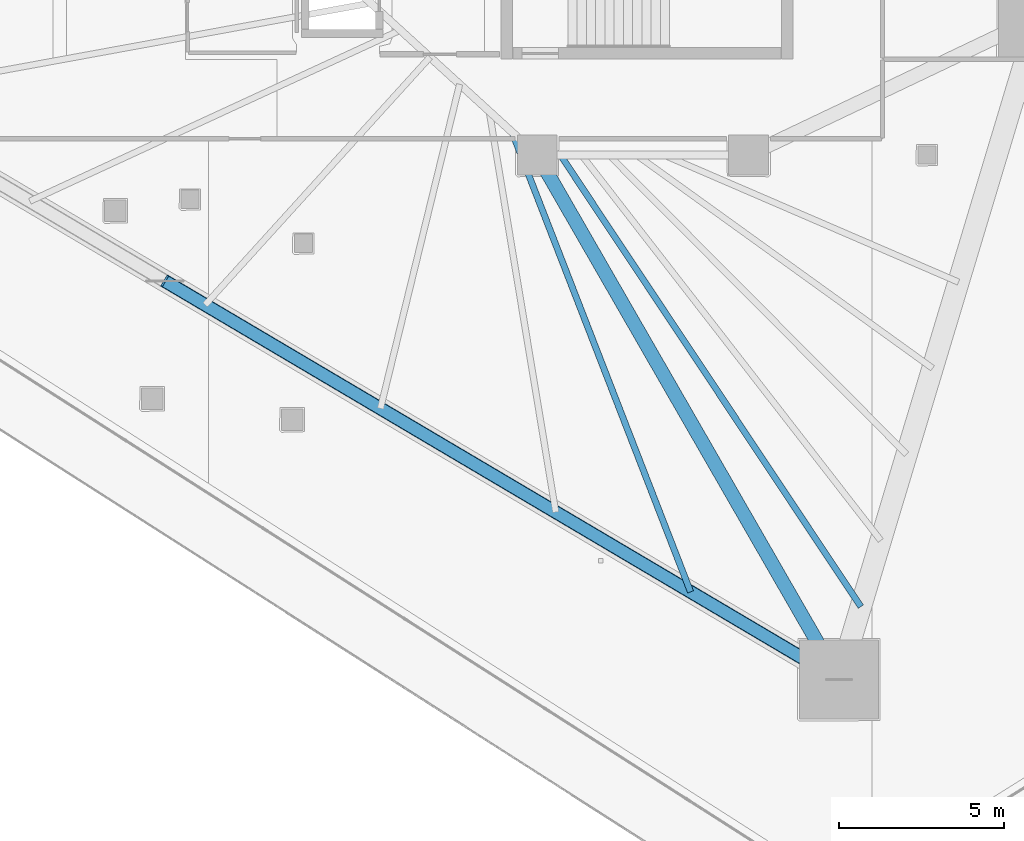
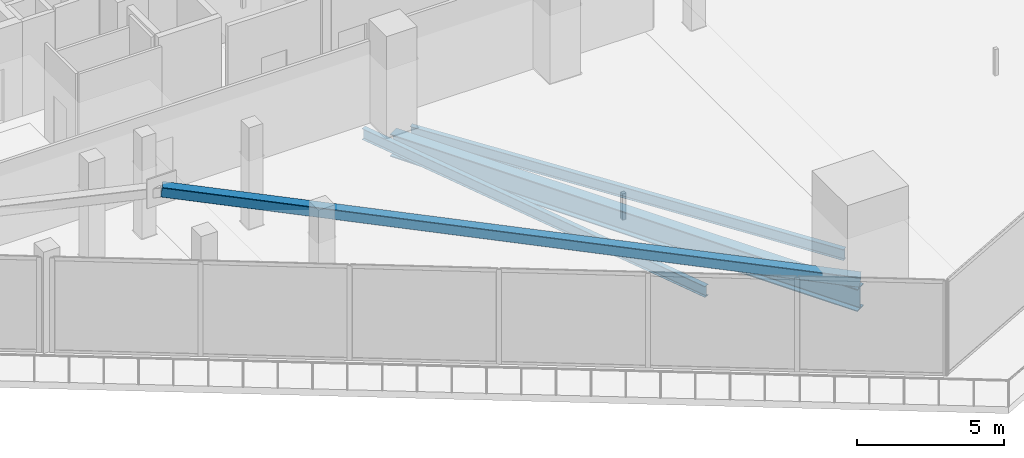
# One storey, part 9 of 43: 3 beams, 1 member.
"""IFC4 building model written with IfcOpenShell, lengths in metres."""

from ifc_helpers import new_model, si_unit, direction, frame, origin, origin_2d, place, context, subcontext, project, spatial, hollow_rectangle, i_section, extrude, material, material_profile, profile_set, type_object, element, save


model = new_model("IFC4")

# Units and contexts
model_context = context("Model", 3, precision=1e-05, world=origin(), true_north=direction((0.0, 1.0)))
body_context = subcontext(model_context, "Body", "Model", "MODEL_VIEW")
ifc_project = project(units=[si_unit("LENGTHUNIT", "METRE"), si_unit("AREAUNIT", "SQUARE_METRE"), si_unit("VOLUMEUNIT", "CUBIC_METRE"), si_unit("PLANEANGLEUNIT", "RADIAN"), si_unit("MASSUNIT", "GRAM", prefix="KILO")], contexts=[model_context])

# Site, building, storey
site_placement = place(None, origin())
site = spatial("IfcSite", under=ifc_project, at=site_placement, CompositionType="ELEMENT")
building_placement = place(site_placement, origin())
building = spatial("IfcBuilding", under=site, at=building_placement, Name="Qorvath Tower", CompositionType="ELEMENT")
storey_placement = place(building_placement, frame((0.0, 0.0, 36.60009765625)))
storey = spatial("IfcBuildingStorey", under=building, at=storey_placement, Name="L07", CompositionType="ELEMENT", Elevation=36.60009765625)

# Beams
ifc_material_1 = material(Name="Steel ASTM A992 Grade 50", Category="steel")
ifc_material_profile_1 = material_profile(ifc_material_1, i_section(OverallWidth=0.422119140625, OverallDepth=0.93310546875, WebThickness=0.021240234375, FlangeThickness=0.039794921875, FilletRadius=0.02392578125, at=origin_2d()), Name="W36x262")
ifc_profile_set_1 = profile_set([ifc_material_profile_1], Name="Steel ASTM A992 Grade 50")
beam_type_1 = type_object("IfcBeamType", Name="BM-FG1", PredefinedType="BEAM", material=ifc_profile_set_1)
beam_1_placement = place(storey_placement, frame((-23.60009765625, -11.449951171875, -0.74658203125), z_axis=(0.498645367714, -0.866806089767, 0.0), x_axis=(0.866806089767, 0.498645367714, 0.0)))
element("IfcBeam", 1, at=beam_1_placement, inside=storey, type_object=beam_type_1, Name="Radial Floor Girder CC4-MC3 L07", PredefinedType="BEAM", context=body_context, shape_type="SweptSolid", body=[
    extrude(i_section(OverallWidth=0.422119140625, OverallDepth=0.93310546875, WebThickness=0.021240234375, FlangeThickness=0.039794921875, FilletRadius=0.02392578125, at=origin_2d()), origin(), (0.0, 0.0, 1.0), 18.321044921875),
])
ifc_material_2 = material(Name="Steel ASTM A992 Grade 50", Category="steel")
ifc_material_profile_2 = material_profile(ifc_material_2, i_section(OverallWidth=0.18994140625, OverallDepth=0.45703125, WebThickness=0.009033203125, FlangeThickness=0.014404296875, FilletRadius=0.011962890625, at=origin_2d()), Name="W18x50")
ifc_profile_set_2 = profile_set([ifc_material_profile_2], Name="Steel ASTM A992 Grade 50")
beam_type_2 = type_object("IfcBeamType", Name="BM-FJ2", PredefinedType="JOIST", material=ifc_profile_set_2)
beam_2_placement = place(storey_placement, frame((-22.89599609375, -11.449951171875, -0.508544921875), z_axis=(0.553811384989, -0.83264214994, 0.0), x_axis=(0.83264214994, 0.553811384989, 0.0)))
element("IfcBeam", 2, at=beam_2_placement, inside=storey, type_object=beam_type_2, Name="Composite Floor Joist SE7 L07", PredefinedType="JOIST", context=body_context, shape_type="SweptSolid", body=[
    extrude(i_section(OverallWidth=0.18994140625, OverallDepth=0.45703125, WebThickness=0.009033203125, FlangeThickness=0.014404296875, FilletRadius=0.011962890625, at=origin_2d()), origin(), (0.0, 0.0, 1.0), 16.42333984375),
])
beam_3_placement = place(storey_placement, frame((-24.35888671875, -10.757080078125, -0.508544921875), z_axis=(0.361964096586, -0.93219203643, 0.0), x_axis=(0.93219203643, 0.361964096586, 0.0)))
element("IfcBeam", 3, at=beam_3_placement, inside=storey, type_object=beam_type_2, Name="Composite Floor Joist SW7 L07", PredefinedType="JOIST", context=body_context, shape_type="SweptSolid", body=[
    extrude(i_section(OverallWidth=0.18994140625, OverallDepth=0.45703125, WebThickness=0.009033203125, FlangeThickness=0.014404296875, FilletRadius=0.011962890625, at=origin_2d()), origin(), (0.0, 0.0, 1.0), 14.93115234375),
])

# Member
ifc_material_3 = material(Name="Steel ASTM A500 Grade C", Category="steel")
ifc_material_profile_3 = material_profile(ifc_material_3, hollow_rectangle(XDim=0.406494140625, YDim=0.406494140625, WallThickness=0.015869140625, InnerFilletRadius=0.015869140625, OuterFilletRadius=0.03173828125, at=origin_2d()), Name="HSS 406x406x16")
ifc_profile_set_3 = profile_set([ifc_material_profile_3], Name="Steel ASTM A500 Grade C")
member_type = type_object("IfcMemberType", Name="MEM-MB1", PredefinedType="BRACE", material=ifc_profile_set_3)
member_placement = place(storey_placement, frame((-14.46435546875, -27.330810546875, 0.0), z_axis=(-0.851185376372, 0.50330686914, 0.148881330351), x_axis=(-0.508979409022, -0.860778694666, 0.0)))
element("IfcMember", 4, at=member_placement, inside=storey, type_object=member_type, Name="Perimeter Chevron Brace L07-2B", PredefinedType="BRACE", context=body_context, shape_type="SweptSolid", body=[
    extrude(hollow_rectangle(XDim=0.406494140625, YDim=0.406494140625, WallThickness=0.015869140625, InnerFilletRadius=0.015869140625, OuterFilletRadius=0.03173828125, at=origin_2d()), origin(), (0.0, 0.0, 1.0), 23.9775390625),
])

save(model, "model.ifc")
